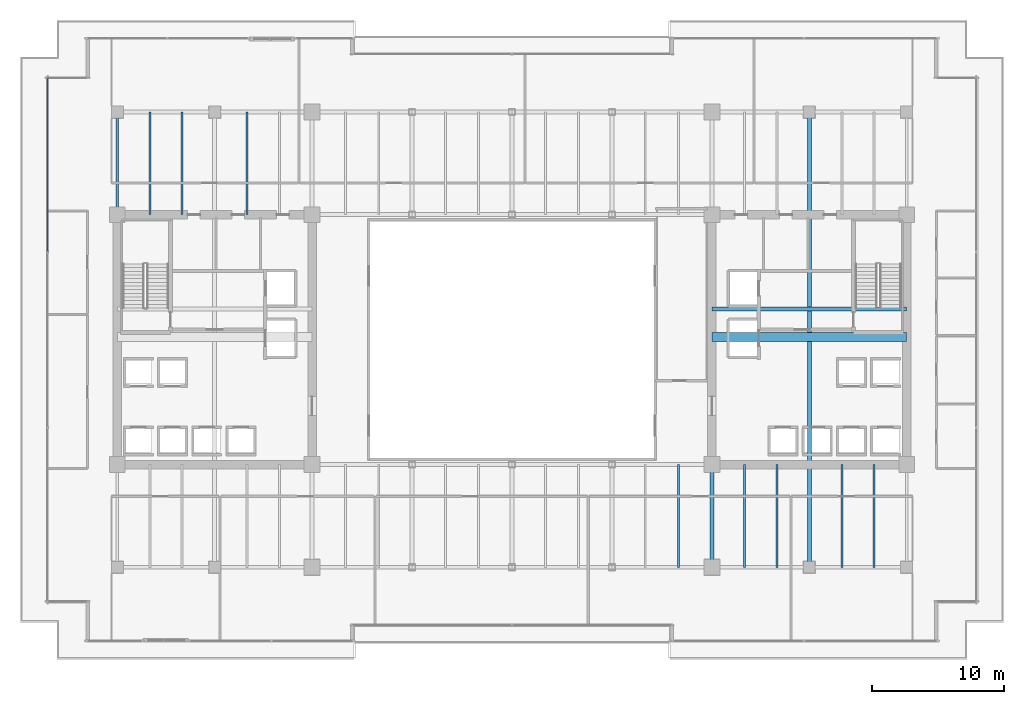
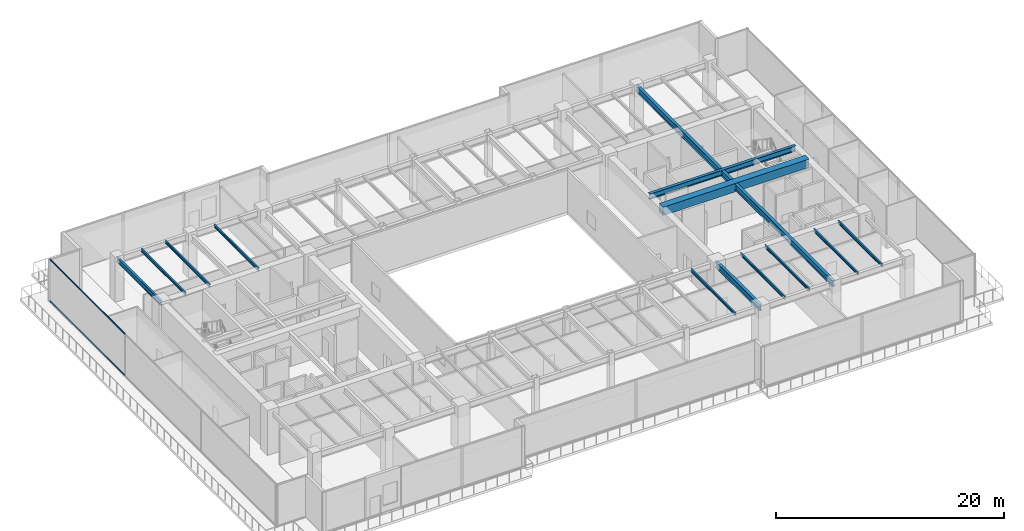
# One storey, part 13 of 33: 13 beams, 2 members, 1 element without a shape of its own.
"""IFC4 building model written with IfcOpenShell, lengths in metres."""

import ifcopenshell
import ifcopenshell.guid

model = None  # the IFC model being written
_history = None  # IfcOwnerHistory: only IFC2X3 demands one
_inside = {}  # id of a spatial element -> (the spatial element, [elements in it])
_under = {}  # id of a project, library or spatial element -> (it, [spatial elements below it])
_declared = {}  # id of a project -> (the project, [libraries it declares])
_typed = {}  # id of a type object -> (the type object, [elements of that type])
_made_of = {}  # id of a material, layer set ... -> (it, [elements and type objects made of it])


def new_model(schema):
    """Start an empty IFC model of exactly this schema.

    Asked for "IFC4X3", IfcOpenShell would pick the latest addendum, in which some entities
    have other attributes; the version numbers below select the first issue.
    IFC2X3 requires an IfcOwnerHistory on every rooted entity: one is made here for all.
    """
    global model, _history
    if schema == "IFC4X3":
        model = ifcopenshell.file(schema_version=(4, 3, 0, 0))
    else:
        model = ifcopenshell.file(schema=schema)
    _inside.clear()
    _under.clear()
    _declared.clear()
    _typed.clear()
    _made_of.clear()
    _history = None
    if model.schema == "IFC2X3":
        org = make("IfcOrganization", Name="unknown")
        user = make(
            "IfcPersonAndOrganization",
            ThePerson=make("IfcPerson", FamilyName="unknown"),
            TheOrganization=org,
        )
        app = make(
            "IfcApplication",
            ApplicationDeveloper=org,
            Version="unknown",
            ApplicationFullName="unknown",
            ApplicationIdentifier="unknown",
        )
        _history = make(
            "IfcOwnerHistory",
            OwningUser=user,
            OwningApplication=app,
            ChangeAction="ADDED",
            CreationDate=0,
        )
    return model


def make(cls, **values):
    """One entity of the class cls with the attributes given. An attribute that is None is left unset."""
    return model.create_entity(
        cls, **{name: value for name, value in values.items() if value is not None}
    )


def rooted(cls, **values):
    """An entity with a GlobalId (a new one), such as an element, a storey or a relation."""
    return make(cls, GlobalId=ifcopenshell.guid.new(), OwnerHistory=_history, **values)


def si_unit(unit_type, name, prefix=None):
    """IfcSIUnit, for example si_unit("LENGTHUNIT", "METRE", prefix="MILLI")."""
    return make("IfcSIUnit", UnitType=unit_type, Prefix=prefix, Name=name)


def assignment(units):
    """IfcUnitAssignment: the units of a project."""
    return None if units is None else make("IfcUnitAssignment", Units=units)


def point(xyz):
    """IfcCartesianPoint."""
    return None if xyz is None else make("IfcCartesianPoint", Coordinates=xyz)


def direction(xyz):
    """IfcDirection."""
    return None if xyz is None else make("IfcDirection", DirectionRatios=xyz)


def frame(location, z_axis=None, x_axis=None):
    """IfcAxis2Placement3D, a coordinate frame: its origin and axes. An axis left out is left unset."""
    return make(
        "IfcAxis2Placement3D",
        Location=point(location),
        Axis=direction(z_axis),
        RefDirection=direction(x_axis),
    )


def frame_2d(location, x_axis=None):
    """IfcAxis2Placement2D, a coordinate frame in the plane: its origin and x axis."""
    return make(
        "IfcAxis2Placement2D", Location=point(location), RefDirection=direction(x_axis)
    )


def origin():
    """The frame at (0, 0, 0) with its axes left unset."""
    return frame((0.0, 0.0, 0.0))


def origin_2d():
    """The frame at (0, 0) in the plane with its x axis left unset."""
    return frame_2d((0.0, 0.0))


def place(relative_to, where):
    """IfcLocalPlacement: puts the frame where relative to a parent placement (None: the world)."""
    return make(
        "IfcLocalPlacement", PlacementRelTo=relative_to, RelativePlacement=where
    )


def context(
    kind, dimensions, precision=None, world=None, true_north=None, identifier=None
):
    """IfcGeometricRepresentationContext, for example the 3D "Model" context."""
    return make(
        "IfcGeometricRepresentationContext",
        ContextIdentifier=identifier,
        ContextType=kind,
        CoordinateSpaceDimension=dimensions,
        Precision=precision,
        WorldCoordinateSystem=world,
        TrueNorth=true_north,
    )


def subcontext(parent, identifier, kind, view, scale=None):
    """IfcGeometricRepresentationSubContext, for example "Body" below "Model"."""
    return make(
        "IfcGeometricRepresentationSubContext",
        ContextIdentifier=identifier,
        ContextType=kind,
        ParentContext=parent,
        TargetScale=scale,
        TargetView=view,
    )


def project(units=None, contexts=None):
    """IfcProject with its units and contexts."""
    return rooted(
        "IfcProject",
        Name="project",
        RepresentationContexts=contexts,
        UnitsInContext=assignment(units),
    )


def spatial(cls, under=None, at=None, **own):
    """A site, building, storey or space (cls), placed at a placement, below another one or the project."""
    s = rooted(cls, ObjectPlacement=at, **own)
    if under is not None:
        _under.setdefault(under.id(), (under, []))[1].append(s)
    return s


def profile(cls, at=None, kind="AREA", **sizes):
    """A parametric profile (cls). Its sizes go by their IFC names, for example OverallWidth=200.0."""
    return make(cls, ProfileType=kind, Position=at, **sizes)


def rectangle(**sizes):
    """IfcRectangleProfileDef."""
    return profile("IfcRectangleProfileDef", **sizes)


def hollow_rectangle(**sizes):
    """IfcRectangleHollowProfileDef."""
    return profile("IfcRectangleHollowProfileDef", **sizes)


def i_section(**sizes):
    """IfcIShapeProfileDef."""
    return profile("IfcIShapeProfileDef", **sizes)


def extrude(swept, where, along, depth):
    """IfcExtrudedAreaSolid: the profile swept, set in the frame where, extruded along a direction by depth."""
    return make(
        "IfcExtrudedAreaSolid",
        SweptArea=swept,
        Position=where,
        ExtrudedDirection=direction(along),
        Depth=depth,
    )


def shape(context_of_items, identifier, shape_type, items):
    """IfcShapeRepresentation: the items that make up one representation, for example the "Body"."""
    return make(
        "IfcShapeRepresentation",
        ContextOfItems=context_of_items,
        RepresentationIdentifier=identifier,
        RepresentationType=shape_type,
        Items=items,
    )


def source(mapping_origin, context_of_items, identifier, shape_type, items):
    """IfcRepresentationMap: a shape defined once, which mapped items show again and again."""
    return make(
        "IfcRepresentationMap",
        MappingOrigin=mapping_origin,
        MappedRepresentation=shape(context_of_items, identifier, shape_type, items),
    )


def transform(
    local_origin,
    x_axis=None,
    y_axis=None,
    z_axis=None,
    scale=None,
    scale2=None,
    scale3=None,
    uniform=True,
):
    """IfcCartesianTransformationOperator3D, or its non-uniform kind. x_axis, y_axis, z_axis: its Axis1, 2, 3."""
    if uniform:
        return make(
            "IfcCartesianTransformationOperator3D",
            Axis1=direction(x_axis),
            Axis2=direction(y_axis),
            LocalOrigin=point(local_origin),
            Scale=scale,
            Axis3=direction(z_axis),
        )
    return make(
        "IfcCartesianTransformationOperator3DnonUniform",
        Axis1=direction(x_axis),
        Axis2=direction(y_axis),
        LocalOrigin=point(local_origin),
        Scale=scale,
        Axis3=direction(z_axis),
        Scale2=scale2,
        Scale3=scale3,
    )


def mapped(mapping_source, mapping_target):
    """IfcMappedItem: shows the shape of a source again, moved by a transform."""
    return make(
        "IfcMappedItem", MappingSource=mapping_source, MappingTarget=mapping_target
    )


def material(Name=None, Category=None):
    """IfcMaterial."""
    return make("IfcMaterial", Name=Name, Category=Category)


def layer(
    of_material, thickness, ventilated=None, Name=None, Category=None, Priority=None
):
    """IfcMaterialLayer: one layer of a wall or slab, of a material (None: an air gap)."""
    return make(
        "IfcMaterialLayer",
        Material=of_material,
        LayerThickness=thickness,
        IsVentilated=ventilated,
        Name=Name,
        Category=Category,
        Priority=Priority,
    )


def layer_set(layers, Name=None):
    """IfcMaterialLayerSet."""
    return make("IfcMaterialLayerSet", MaterialLayers=layers, LayerSetName=Name)


def material_profile(
    of_material, cross_section, Name=None, Category=None, Priority=None
):
    """IfcMaterialProfile: a cross section and its material."""
    return make(
        "IfcMaterialProfile",
        Name=Name,
        Material=of_material,
        Profile=cross_section,
        Priority=Priority,
        Category=Category,
    )


def profile_set(profiles, Name=None, composite=None):
    """IfcMaterialProfileSet."""
    return make(
        "IfcMaterialProfileSet",
        Name=Name,
        MaterialProfiles=profiles,
        CompositeProfile=composite,
    )


def made_of(thing, what):
    """Note that an element or type object is made of a material, layer set ...; save() writes the relation."""
    if what is not None:
        _made_of.setdefault(what.id(), (what, []))[1].append(thing)
    return thing


def type_object(cls, material=None, **own):
    """A type object (cls), such as IfcWallType, which elements share."""
    return made_of(rooted(cls, **own), material)


def type_shapes(of_type, sources):
    """Give a type object the sources (RepresentationMaps) that its elements show as mapped items."""
    of_type.RepresentationMaps = sources


def element(
    cls,
    number,
    at=None,
    inside=None,
    cuts=None,
    type_object=None,
    material=None,
    context=None,
    identifier="Body",
    shape_type=None,
    held_by="IfcProductDefinitionShape",
    body=None,
    shapes=None,
    **own,
):
    """One element of the class cls, such as IfcWall. Its Tag is "e" and its number.

    at: its placement. inside: the storey or other place that contains it. cuts: it is an
    opening in that element (IfcRelVoidsElement). A single representation is given by context,
    identifier, shape_type and body (its items); several are given by shapes. held_by: the class
    of the entity that holds the representations. save() writes the other relations.
    """
    e = rooted(cls, Tag="e%d" % number, ObjectPlacement=at, **own)
    if body is not None:
        shapes = [shape(context, identifier, shape_type, body)]
    if shapes is not None:
        e.Representation = make(held_by, Representations=shapes)
    if inside is not None:
        _inside.setdefault(inside.id(), (inside, []))[1].append(e)
    if cuts is not None:
        rooted(
            "IfcRelVoidsElement", RelatingBuildingElement=cuts, RelatedOpeningElement=e
        )
    if type_object is not None:
        _typed.setdefault(type_object.id(), (type_object, []))[1].append(e)
    return made_of(e, material)


def aggregate(whole, parts):
    """IfcRelAggregates: a whole, such as a stair, and the parts it consists of."""
    return rooted("IfcRelAggregates", RelatingObject=whole, RelatedObjects=parts)


def save(model, path):
    """Write the relations noted so far, then the file.

    IfcRelAggregates (storeys below a building ...), IfcRelContainedInSpatialStructure (elements
    in a storey), IfcRelDefinesByType, IfcRelAssociatesMaterial and IfcRelDeclares: one each for
    every whole, place, type object, material and project.
    """
    for whole, parts in _under.values():
        aggregate(whole, parts)
    for where, things in _inside.values():
        rooted(
            "IfcRelContainedInSpatialStructure",
            RelatedElements=things,
            RelatingStructure=where,
        )
    for kind, things in _typed.values():
        rooted("IfcRelDefinesByType", RelatedObjects=things, RelatingType=kind)
    for what, things in _made_of.values():
        rooted("IfcRelAssociatesMaterial", RelatedObjects=things, RelatingMaterial=what)
    for by, libraries in _declared.values():
        rooted("IfcRelDeclares", RelatingContext=by, RelatedDefinitions=libraries)
    model.write(path)


model = new_model("IFC4")

# Units and contexts
model_context = context("Model", 3, precision=1e-05, world=origin(), true_north=direction((0.0, 1.0)))
body_context = subcontext(model_context, "Body", "Model", "MODEL_VIEW")
ifc_project = project(units=[si_unit("LENGTHUNIT", "METRE"), si_unit("AREAUNIT", "SQUARE_METRE"), si_unit("VOLUMEUNIT", "CUBIC_METRE"), si_unit("PLANEANGLEUNIT", "RADIAN"), si_unit("MASSUNIT", "GRAM", prefix="KILO")], contexts=[model_context])

# Site, building, storey
site_placement = place(None, origin())
site = spatial("IfcSite", under=ifc_project, at=site_placement, CompositionType="ELEMENT")
building_placement = place(site_placement, origin())
building = spatial("IfcBuilding", under=site, at=building_placement, Name="Haelvirn Gate Laboratories", CompositionType="ELEMENT")
storey_placement = place(building_placement, frame((0.0, 0.0, 100.300048828125)))
storey = spatial("IfcBuildingStorey", under=building, at=storey_placement, Name="L24", CompositionType="ELEMENT", Elevation=100.300048828125)

# Beams
ifc_material_1 = material(Name="Concrete C60/75", Category="concrete")
ifc_material_profile_1 = material_profile(ifc_material_1, rectangle(XDim=0.699951171875, YDim=0.89990234375, at=origin_2d()), Name="RCB-700x900")
ifc_profile_set_1 = profile_set([ifc_material_profile_1], Name="Concrete C60/75")
beam_type_1 = type_object("IfcBeamType", Name="BM-RCB-900", PredefinedType="LINTEL", material=ifc_profile_set_1)
shared_shape_1 = source(origin(), body_context, "Body", "SweptSolid", [
    extrude(rectangle(XDim=0.699951171875, YDim=0.89990234375, at=origin_2d()), origin(), (0.0, 0.0, 1.0), 14.7998046875),
])
type_shapes(beam_type_1, [shared_shape_1])
beam_1_placement = place(storey_placement, frame((52.60009765625, 24.5, 4.0400390625), z_axis=(1.0, 0.0, 0.0), x_axis=(0.0, 1.0, 0.0)))
element("IfcBeam", 1, at=beam_1_placement, inside=storey, type_object=beam_type_1, Name="L24 East Core Coupling Beam", PredefinedType="LINTEL", context=body_context, shape_type="MappedRepresentation", body=[
    mapped(shared_shape_1, transform((0.0, 0.0, 0.0), scale=1.0)),
])
ifc_material_2 = material(Name="Steel SM355", Category="steel")
ifc_material_profile_2 = material_profile(ifc_material_2, i_section(OverallWidth=0.300048828125, OverallDepth=0.587890625, WebThickness=0.011962890625, FlangeThickness=0.02001953125, at=origin_2d()), Name="H-588x300x12x20")
ifc_profile_set_2 = profile_set([ifc_material_profile_2], Name="Steel SM355")
beam_type_2 = type_object("IfcBeamType", Name="BM-G-588", PredefinedType="BEAM", material=ifc_profile_set_2)
shared_shape_2 = source(origin(), body_context, "Body", "SweptSolid", [
    extrude(i_section(OverallWidth=0.300048828125, OverallDepth=0.587890625, WebThickness=0.011962890625, FlangeThickness=0.02001953125, at=origin_2d()), origin(), (0.0, 0.0, 1.0), 14.7998046875),
])
type_shapes(beam_type_2, [shared_shape_2])
beam_2_placement = place(storey_placement, frame((52.60009765625, 26.6201171875, 4.196044921875), z_axis=(1.0, 0.0, 0.0), x_axis=(0.0, 1.0, 0.0)))
element("IfcBeam", 2, at=beam_2_placement, inside=storey, type_object=beam_type_2, Name="L24 Stair ST2 Landing Header", PredefinedType="BEAM", context=body_context, shape_type="MappedRepresentation", body=[
    mapped(shared_shape_2, transform((0.0, 0.0, 0.0), scale=1.0)),
])
ifc_material_profile_3 = material_profile(ifc_material_2, i_section(OverallWidth=0.199951171875, OverallDepth=0.5, WebThickness=0.010009765625, FlangeThickness=0.01611328125, at=origin_2d()), Name="H-500x200x10x16")
ifc_profile_set_3 = profile_set([ifc_material_profile_3], Name="Steel SM355")
beam_type_3 = type_object("IfcBeamType", Name="BM-SP-500", PredefinedType="SPANDREL", material=ifc_profile_set_3)
shared_shape_3 = source(origin(), body_context, "Body", "SweptSolid", [
    extrude(i_section(OverallWidth=0.199951171875, OverallDepth=0.5, WebThickness=0.010009765625, FlangeThickness=0.01611328125, at=origin_2d()), origin(), (0.0, 0.0, 1.0), 7.800048828125),
])
type_shapes(beam_type_3, [shared_shape_3])
beam_3_placement = place(storey_placement, frame((7.39990234375, 33.800048828125, 4.239990234375), z_axis=(0.0, 1.0, 0.0), x_axis=(-1.0, 0.0, 0.0)))
element("IfcBeam", 3, at=beam_3_placement, inside=storey, type_object=beam_type_3, Name="L24 Perimeter Spandrel X7.4 (33.8-41.6)", PredefinedType="SPANDREL", context=body_context, shape_type="MappedRepresentation", body=[
    mapped(shared_shape_3, transform((0.0, 0.0, 0.0), scale=1.0)),
])
ifc_material_profile_4 = material_profile(ifc_material_2, i_section(OverallWidth=0.300048828125, OverallDepth=0.64990234375, WebThickness=0.012939453125, FlangeThickness=0.02197265625, at=origin_2d()), Name="H-650x300x13x22")
ifc_profile_set_4 = profile_set([ifc_material_profile_4], Name="Steel SM355")
beam_type_4 = type_object("IfcBeamType", Name="BM-G-650", PredefinedType="BEAM", material=ifc_profile_set_4)
shared_shape_4 = source(origin(), body_context, "Body", "SweptSolid", [
    extrude(i_section(OverallWidth=0.300048828125, OverallDepth=0.64990234375, WebThickness=0.012939453125, FlangeThickness=0.02197265625, at=origin_2d()), origin(), (0.0, 0.0, 1.0), 34.60009765625),
])
beam_4_placement = place(storey_placement, frame((60.0, 7.0, 4.1650390625), z_axis=(0.0, 1.0, 0.0), x_axis=(-1.0, 0.0, 0.0)))
element("IfcBeam", 4, at=beam_4_placement, inside=storey, type_object=beam_type_4, Name="L24 Frame Girder X60.0 (7.0-41.6)", PredefinedType="BEAM", context=body_context, shape_type="MappedRepresentation", body=[
    mapped(shared_shape_4, transform((0.0, 0.0, 0.0), scale=1.0)),
])
shared_shape_5 = source(origin(), body_context, "Body", "SweptSolid", [
    extrude(i_section(OverallWidth=0.300048828125, OverallDepth=0.64990234375, WebThickness=0.012939453125, FlangeThickness=0.02197265625, at=origin_2d()), origin(), (0.0, 0.0, 1.0), 7.800048828125),
])
type_shapes(beam_type_4, [shared_shape_4, shared_shape_5])
beam_5_placement = place(storey_placement, frame((52.60009765625, 7.0, 4.1650390625), z_axis=(0.0, 1.0, 0.0), x_axis=(-1.0, 0.0, 0.0)))
element("IfcBeam", 5, at=beam_5_placement, inside=storey, type_object=beam_type_4, Name="L24 Frame Girder X52.6 (7.0-14.8)", PredefinedType="BEAM", context=body_context, shape_type="MappedRepresentation", body=[
    mapped(shared_shape_5, transform((0.0, 0.0, 0.0), scale=1.0)),
])
ifc_material_profile_5 = material_profile(ifc_material_2, i_section(OverallWidth=0.14990234375, OverallDepth=0.300048828125, WebThickness=0.006591796875, FlangeThickness=0.009033203125, at=origin_2d()), Name="H-300x150x6.5x9")
ifc_profile_set_5 = profile_set([ifc_material_profile_5], Name="Steel SM355")
beam_type_5 = type_object("IfcBeamType", Name="BM-J-300", PredefinedType="JOIST", material=ifc_profile_set_5)
shared_shape_6 = source(origin(), body_context, "Body", "SweptSolid", [
    extrude(i_section(OverallWidth=0.14990234375, OverallDepth=0.300048828125, WebThickness=0.006591796875, FlangeThickness=0.009033203125, at=origin_2d()), origin(), (0.0, 0.0, 1.0), 7.800048828125),
])
type_shapes(beam_type_5, [shared_shape_6])
for number, where, z_axis, x_axis, name in (
    (6, (9.8701171875, 33.800048828125, 4.33984375), (0.0, 1.0, 0.0), (-1.0, 0.0, 0.0), "L24 Composite Lab Joist North X9.87"),
    (7, (12.330078125, 33.800048828125, 4.33984375), (0.0, 1.0, 0.0), (-1.0, 0.0, 0.0), "L24 Composite Lab Joist North X12.33"),
    (8, (17.27001953125, 33.800048828125, 4.33984375), (0.0, 1.0, 0.0), (-1.0, 0.0, 0.0), "L24 Composite Lab Joist North X17.27"),
    (9, (50.070068359375, 7.0, 4.33984375), (0.0, 1.0, 0.0), (-1.0, 0.0, 0.0), "L24 Composite Lab Joist South X50.07"),
    (10, (55.070068359375, 7.0, 4.33984375), (0.0, 1.0, 0.0), (-1.0, 0.0, 0.0), "L24 Composite Lab Joist South X55.07"),
    (11, (57.530029296875, 7.0, 4.33984375), (0.0, 1.0, 0.0), (-1.0, 0.0, 0.0), "L24 Composite Lab Joist South X57.53"),
    (12, (62.469970703125, 7.0, 4.33984375), (0.0, 1.0, 0.0), (-1.0, 0.0, 0.0), "L24 Composite Lab Joist South X62.47"),
    (13, (64.929931640625, 7.0, 4.33984375), (0.0, 1.0, 0.0), (-1.0, 0.0, 0.0), "L24 Composite Lab Joist South X64.93"),
):
    element("IfcBeam", number, at=place(storey_placement, frame(where, z_axis=z_axis, x_axis=x_axis)), inside=storey, type_object=beam_type_5, Name=name, PredefinedType="JOIST", context=body_context, shape_type="MappedRepresentation", body=[
        mapped(shared_shape_6, transform((0.0, 0.0, 0.0), scale=1.0)),
    ])

# Curtain wall, members
ifc_material_3 = material(Name="Anodised bronze unitised aluminium & triple low-E glass", Category="aluminium")
ifc_layer = layer(ifc_material_3, 0.179931640625, Name="CW-SYS-3")
ifc_layer_set = layer_set([ifc_layer], Name="Anodised bronze unitised aluminium & triple low-E glass")
curtain_wall_type = type_object("IfcCurtainWallType", Name="CW-SYS-3", PredefinedType="NOTDEFINED", material=ifc_layer_set)
curtain_wall_placement = place(storey_placement, origin())
curtain_wall = element("IfcCurtainWall", 14, at=curtain_wall_placement, inside=storey, type_object=curtain_wall_type, Name="L24 Unitised Curtain Wall CW-L24-P0-E17", PredefinedType="NOTDEFINED")
ifc_material_4 = material(Name="Extruded aluminium 6063-T6 (anodised bronze)", Category="aluminium")
ifc_material_profile_6 = material_profile(ifc_material_4, hollow_rectangle(XDim=0.06494140625, YDim=0.139892578125, WallThickness=0.00390625, at=origin_2d()), Name="CWT-140x65x4")
ifc_profile_set_6 = profile_set([ifc_material_profile_6], Name="Extruded aluminium 6063-T6 (anodised bronze)")
member_type = type_object("IfcMemberType", Name="CWT-T140", PredefinedType="USERDEFINED", material=ifc_profile_set_6)
shared_shape_7 = source(origin(), body_context, "Body", "SweptSolid", [
    extrude(hollow_rectangle(XDim=0.06494140625, YDim=0.139892578125, WallThickness=0.00390625, at=origin_2d()), origin(), (0.0, 0.0, 1.0), 13.220947265625),
])
type_shapes(member_type, [shared_shape_7])
member_1_placement = place(storey_placement, frame((2.10009765625, 44.22509765625, 0.032470703125), z_axis=(0.0, -1.0, 0.0), x_axis=(1.0, 0.0, 0.0)))
member_1 = element("IfcMember", 15, at=member_1_placement, type_object=member_type, Name="CW3 transom 1.1", ObjectType="TRANSOM", PredefinedType="USERDEFINED", context=body_context, shape_type="MappedRepresentation", body=[
    mapped(shared_shape_7, transform((0.0, 0.0, 0.0), scale=1.0)),
])
member_2_placement = place(storey_placement, frame((2.10009765625, 44.22509765625, 4.45751953125), z_axis=(0.0, -1.0, 0.0), x_axis=(1.0, 0.0, 0.0)))
member_2 = element("IfcMember", 16, at=member_2_placement, type_object=member_type, Name="CW3 transom 1.2", ObjectType="TRANSOM", PredefinedType="USERDEFINED", context=body_context, shape_type="MappedRepresentation", body=[
    mapped(shared_shape_7, transform((0.0, 0.0, 0.0), scale=1.0)),
])
aggregate(curtain_wall, [member_1, member_2])

save(model, "model.ifc")
